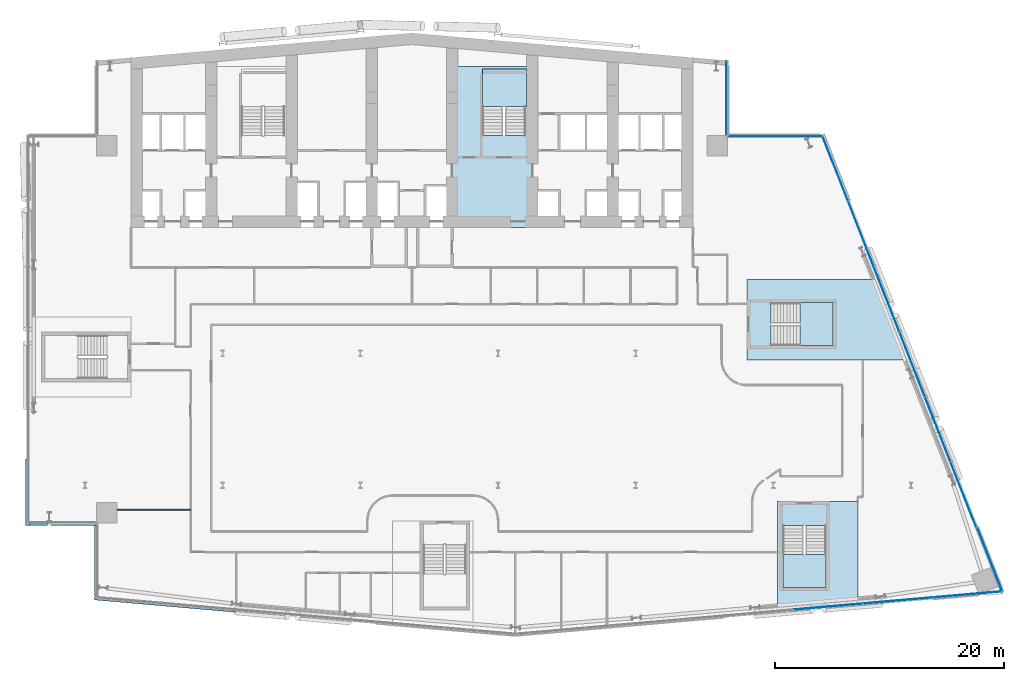
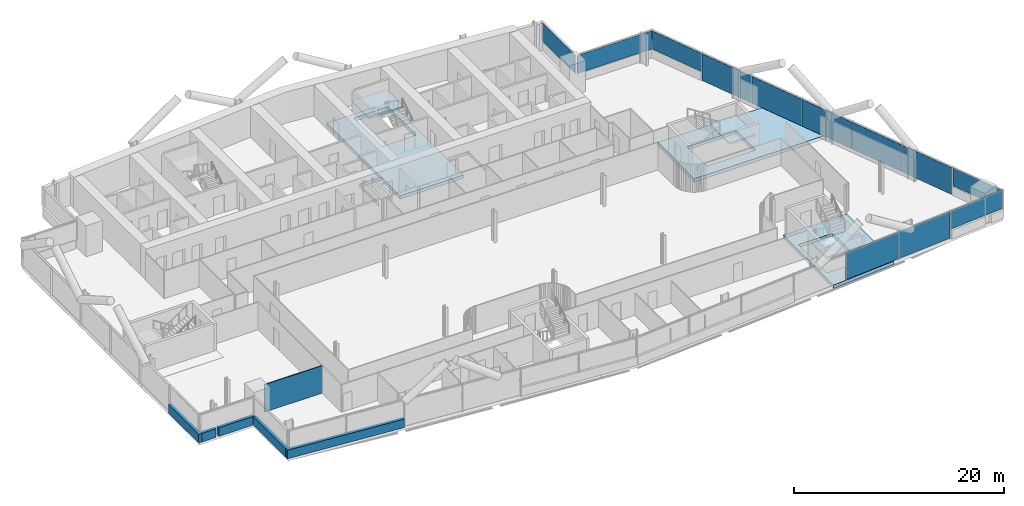
# One storey, part 13 of 30: 12 plates, 6 slabs, 6 walls, 7 elements without a shape of their own.
"""IFC4 building model written with IfcOpenShell, lengths in metres."""

from ifc_helpers import new_model, si_unit, direction, frame, frame_2d, origin, origin_2d, place, context, subcontext, project, spatial, polyline, rectangle, outline, extrude, material, layer, layer_set, type_object, element, aggregate, save


model = new_model("IFC4")

# Units and contexts
model_context = context("Model", 3, precision=1e-05, world=origin(), true_north=direction((0.0, 1.0)))
body_context = subcontext(model_context, "Body", "Model", "MODEL_VIEW")
ifc_project = project(units=[si_unit("LENGTHUNIT", "METRE"), si_unit("AREAUNIT", "SQUARE_METRE"), si_unit("VOLUMEUNIT", "CUBIC_METRE"), si_unit("PLANEANGLEUNIT", "RADIAN"), si_unit("MASSUNIT", "GRAM", prefix="KILO")], contexts=[model_context])

# Site, building, storey
site_placement = place(None, origin())
site = spatial("IfcSite", under=ifc_project, at=site_placement, CompositionType="ELEMENT")
building_placement = place(site_placement, origin())
building = spatial("IfcBuilding", under=site, at=building_placement, Name="Wharfspan Tower", CompositionType="ELEMENT")
storey_placement = place(building_placement, frame((0.0, 0.0, 100.300049)))
storey = spatial("IfcBuildingStorey", under=building, at=storey_placement, Name="L22", CompositionType="ELEMENT", Elevation=100.300049)

# Curtain wall, plate
ifc_material_1 = material(Name="Aluminium 6063-T6", Category="aluminium")
curtain_wall_type_1 = type_object("IfcCurtainWallType", Name="CURTAIN WALL FACETED FRONT", PredefinedType="NOTDEFINED", material=ifc_material_1)
curtain_wall_1_placement = place(storey_placement, origin())
curtain_wall_1 = element("IfcCurtainWall", 1, at=curtain_wall_1_placement, inside=storey, type_object=curtain_wall_type_1, Name="Curtain wall S2", PredefinedType="NOTDEFINED")
ifc_material_2 = material(Name="Glass clear low-iron double glazing", Category="glass")
ifc_layer_1 = layer(ifc_material_2, 0.040039)
ifc_layer_set_1 = layer_set([ifc_layer_1], Name="Glass clear low-iron double glazing")
plate_type_1 = type_object("IfcPlateType", Name="GLASS PANEL FACETED FRONT 40", PredefinedType="CURTAIN_PANEL", material=ifc_layer_set_1)
plate_1_placement = place(storey_placement, frame((88.944092, 1.99292, 1.0), z_axis=(0.0, 0.0, 1.0), x_axis=(0.996198, 0.087156, 0.0)))
plate_1 = element("IfcPlate", 2, at=plate_1_placement, type_object=plate_type_1, Name="Curtain wall S2 panel 7", PredefinedType="CURTAIN_PANEL", context=body_context, shape_type="SweptSolid", body=[
    extrude(rectangle(XDim=6.004639, YDim=0.040039, at=origin_2d()), origin(), (0.0, 0.0, 1.0), 2.120117),
])

# Curtain wall, plates
curtain_wall_type_2 = type_object("IfcCurtainWallType", Name="CURTAIN WALL PROW AND END", PredefinedType="NOTDEFINED", material=ifc_material_1)
curtain_wall_2_placement = place(storey_placement, origin())
curtain_wall_2 = element("IfcCurtainWall", 3, at=curtain_wall_2_placement, inside=storey, type_object=curtain_wall_type_2, Name="Curtain wall E", PredefinedType="NOTDEFINED")
ifc_layer_2 = layer(ifc_material_2, 0.040039)
ifc_layer_set_2 = layer_set([ifc_layer_2], Name="Glass clear low-iron double glazing")
plate_type_2 = type_object("IfcPlateType", Name="GLASS PANEL PROW AND END 40", PredefinedType="CURTAIN_PANEL", material=ifc_layer_set_2)
plate_2_placement = place(storey_placement, frame((90.877197, 5.056885, 1.0), z_axis=(0.0, 0.0, 1.0), x_axis=(-0.365778, 0.930702, 0.0)))
plate_2 = element("IfcPlate", 4, at=plate_2_placement, type_object=plate_type_2, Name="Curtain wall E panel 1", PredefinedType="CURTAIN_PANEL", context=body_context, shape_type="SweptSolid", body=[
    extrude(rectangle(XDim=6.019043, YDim=0.040039, at=origin_2d()), origin(), (0.0, 0.0, 1.0), 2.120117),
])
plate_3_placement = place(storey_placement, frame((77.406494, 39.114014, 1.0), z_axis=(0.0, 0.0, 1.0), x_axis=(-0.365778, 0.930702, 0.0)))
plate_3 = element("IfcPlate", 5, at=plate_3_placement, type_object=plate_type_2, Name="Curtain wall E panel 7", PredefinedType="CURTAIN_PANEL", context=body_context, shape_type="SweptSolid", body=[
    extrude(rectangle(XDim=6.019043, YDim=0.040039, at=origin_2d()), origin(), (0.0, 0.0, 1.0), 2.120117),
])

# Curtain wall, plate
curtain_wall_3_placement = place(storey_placement, origin())
curtain_wall_3 = element("IfcCurtainWall", 6, at=curtain_wall_3_placement, inside=storey, type_object=curtain_wall_type_2, Name="Curtain wall NRE-H", PredefinedType="NOTDEFINED")
plate_4_placement = place(storey_placement, frame((72.178955, 41.919922, 1.0), z_axis=(0.0, 0.0, 1.0), x_axis=(-1.0, 0.0, 0.0)))
plate_4 = element("IfcPlate", 7, at=plate_4_placement, type_object=plate_type_2, Name="Curtain wall NRE-H panel 1", PredefinedType="CURTAIN_PANEL", context=body_context, shape_type="SweptSolid", body=[
    extrude(rectangle(XDim=8.238037, YDim=0.040039, at=origin_2d()), origin(), (0.0, 0.0, 1.0), 2.120117),
])
aggregate(curtain_wall_3, [plate_4])

curtain_wall_4_placement = place(storey_placement, origin())
curtain_wall_4 = element("IfcCurtainWall", 8, at=curtain_wall_4_placement, inside=storey, type_object=curtain_wall_type_2, Name="Curtain wall NRE-V", PredefinedType="NOTDEFINED")
plate_5_placement = place(storey_placement, frame((67.919922, 45.262451, 1.0), z_axis=(0.0, 0.0, 1.0), x_axis=(0.0, 1.0, 0.0)))
plate_5 = element("IfcPlate", 9, at=plate_5_placement, type_object=plate_type_2, Name="Curtain wall NRE-V panel 1", PredefinedType="CURTAIN_PANEL", context=body_context, shape_type="SweptSolid", body=[
    extrude(rectangle(XDim=6.405029, YDim=0.040039, at=origin_2d()), origin(), (0.0, 0.0, 1.0), 2.120117),
])
aggregate(curtain_wall_4, [plate_5])

# Plate
ifc_material_3 = material(Name="Aluminium composite opaque insulated panel", Category="aluminium")
ifc_layer_3 = layer(ifc_material_3, 0.040039)
ifc_layer_set_3 = layer_set([ifc_layer_3], Name="Aluminium composite opaque insulated panel")
plate_type_3 = type_object("IfcPlateType", Name="INFILL PANEL FACETED FRONT OPAQUE 40", PredefinedType="SHEET", material=ifc_layer_set_3)
plate_6_placement = place(storey_placement, frame((76.816162, 0.931885, 0.0), z_axis=(0.0, 0.0, 1.0), x_axis=(0.996198, 0.087156, 0.0)))
plate_6 = element("IfcPlate", 10, at=plate_6_placement, type_object=plate_type_3, Name="Curtain wall S2 panel 5", PredefinedType="SHEET", context=body_context, shape_type="SweptSolid", body=[
    extrude(rectangle(XDim=6.034668, YDim=0.040039, at=origin_2d()), origin(), (0.0, 0.0, 1.0), 3.120117),
])

plate_7_placement = place(storey_placement, frame((82.887695, 1.462891, 0.0), z_axis=(0.0, 0.0, 1.0), x_axis=(0.996198, 0.087156, 0.0)))
plate_7 = element("IfcPlate", 11, at=plate_7_placement, type_object=plate_type_3, Name="Curtain wall S2 panel 6", PredefinedType="SHEET", context=body_context, shape_type="SweptSolid", body=[
    extrude(rectangle(XDim=6.034668, YDim=0.040039, at=origin_2d()), origin(), (0.0, 0.0, 1.0), 3.120117),
])

aggregate(curtain_wall_1, [plate_6, plate_7, plate_1])

ifc_layer_4 = layer(ifc_material_3, 0.040039)
ifc_layer_set_4 = layer_set([ifc_layer_4], Name="Aluminium composite opaque insulated panel")
plate_type_4 = type_object("IfcPlateType", Name="INFILL PANEL PROW AND END OPAQUE 40", PredefinedType="SHEET", material=ifc_layer_set_4)
plate_8_placement = place(storey_placement, frame((88.57373, 10.699219, 0.0), z_axis=(0.0, 0.0, 1.0), x_axis=(-0.365778, 0.930702, 0.0)))
plate_8 = element("IfcPlate", 12, at=plate_8_placement, type_object=plate_type_4, Name="Curtain wall E panel 2", PredefinedType="SHEET", context=body_context, shape_type="SweptSolid", body=[
    extrude(rectangle(XDim=6.049072, YDim=0.040039, at=origin_2d()), origin(), (0.0, 0.0, 1.0), 3.120117),
])

plate_9_placement = place(storey_placement, frame((86.339111, 16.38501, 0.0), z_axis=(0.0, 0.0, 1.0), x_axis=(-0.365778, 0.930702, 0.0)))
plate_9 = element("IfcPlate", 13, at=plate_9_placement, type_object=plate_type_4, Name="Curtain wall E panel 3", PredefinedType="SHEET", context=body_context, shape_type="SweptSolid", body=[
    extrude(rectangle(XDim=6.049072, YDim=0.040039, at=origin_2d()), origin(), (0.0, 0.0, 1.0), 3.120117),
])

plate_10_placement = place(storey_placement, frame((84.104492, 22.070801, 0.0), z_axis=(0.0, 0.0, 1.0), x_axis=(-0.365778, 0.930702, 0.0)))
plate_10 = element("IfcPlate", 14, at=plate_10_placement, type_object=plate_type_4, Name="Curtain wall E panel 4", PredefinedType="SHEET", context=body_context, shape_type="SweptSolid", body=[
    extrude(rectangle(XDim=6.049072, YDim=0.040039, at=origin_2d()), origin(), (0.0, 0.0, 1.0), 3.120117),
])

plate_11_placement = place(storey_placement, frame((81.870117, 27.756348, 0.0), z_axis=(0.0, 0.0, 1.0), x_axis=(-0.365778, 0.930702, 0.0)))
plate_11 = element("IfcPlate", 15, at=plate_11_placement, type_object=plate_type_4, Name="Curtain wall E panel 5", PredefinedType="SHEET", context=body_context, shape_type="SweptSolid", body=[
    extrude(rectangle(XDim=6.049072, YDim=0.040039, at=origin_2d()), origin(), (0.0, 0.0, 1.0), 3.120117),
])

plate_12_placement = place(storey_placement, frame((79.635498, 33.442139, 0.0), z_axis=(0.0, 0.0, 1.0), x_axis=(-0.365778, 0.930702, 0.0)))
plate_12 = element("IfcPlate", 16, at=plate_12_placement, type_object=plate_type_4, Name="Curtain wall E panel 6", PredefinedType="SHEET", context=body_context, shape_type="SweptSolid", body=[
    extrude(rectangle(XDim=6.049072, YDim=0.040039, at=origin_2d()), origin(), (0.0, 0.0, 1.0), 3.120117),
])

aggregate(curtain_wall_2, [plate_2, plate_8, plate_9, plate_10, plate_11, plate_12, plate_3])

# Slabs
ifc_material_4 = material(Name="Concrete C40/50", Category="concrete")
ifc_layer_5 = layer(ifc_material_4, 0.399902)
ifc_layer_set_5 = layer_set([ifc_layer_5], Name="Concrete C40/50")
slab_type_1 = type_object("IfcSlabType", Name="Post-tensioned flat slab 400", PredefinedType="FLOOR", material=ifc_layer_set_5)
slab_1_placement = place(storey_placement, frame((0.0, 0.0, -0.400146)))
element("IfcSlab", 17, at=slab_1_placement, inside=storey, type_object=slab_type_1, Name="Core floor slab L22 part 4", PredefinedType="FLOOR", context=body_context, shape_type="SweptSolid", body=[
    extrude(outline(polyline([(53.341309, 34.0), (53.341309, 37.208008), (51.01001, 37.208008), (51.009766, 37.208008), (51.009521, 37.208008), (51.009521, 37.208008), (51.009277, 37.208252), (51.009033, 37.208252), (51.008789, 37.208252), (51.008789, 37.208496), (51.008545, 37.208496), (51.008545, 37.20874), (51.008301, 37.208984), (51.008301, 37.208984), (51.008301, 37.209229), (51.008057, 37.209473), (51.008057, 37.209717), (51.008057, 37.209717), (51.008057, 37.209961), (51.008057, 48.008057), (43.991943, 48.008057), (43.991943, 37.659912), (43.991943, 37.659912), (43.991943, 37.659668), (43.991943, 37.659424), (43.991699, 37.65918), (43.991699, 37.65918), (43.991699, 37.658936), (43.991455, 37.658691), (43.991455, 37.658691), (43.991211, 37.658447), (43.991211, 37.658203), (43.990967, 37.658203), (43.990723, 37.658203), (43.990479, 37.658203), (43.990479, 37.657959), (43.990234, 37.657959), (43.98999, 37.657959), (41.658691, 37.657959), (41.658691, 34.0), (41.664795, 34.0), (41.664795, 37.649902), (41.664795, 37.650146), (41.664795, 37.650391), (41.664795, 37.650635), (41.664795, 37.650879), (41.664795, 37.650879), (41.665039, 37.651123), (41.665039, 37.651367), (41.665283, 37.651367), (41.665283, 37.651611), (41.665527, 37.651611), (41.665771, 37.651855), (41.666016, 37.651855), (41.666016, 37.651855), (41.66626, 37.6521), (41.666504, 37.6521), (41.666748, 37.6521), (44.0, 37.6521), (44.000244, 37.6521), (44.000488, 37.6521), (44.000488, 37.651855), (44.000732, 37.651855), (44.000977, 37.651855), (44.001221, 37.651611), (44.001221, 37.651611), (44.001465, 37.651367), (44.001465, 37.651367), (44.001709, 37.651123), (44.001709, 37.650879), (44.001709, 37.650879), (44.001953, 37.650635), (44.001953, 37.650391), (44.001953, 37.650146), (44.001953, 37.649902), (44.001953, 34.0), (50.998047, 34.0), (50.998047, 37.199951), (50.998047, 37.200195), (50.998047, 37.200439), (50.998047, 37.200684), (50.998291, 37.200684), (50.998291, 37.200928), (50.998291, 37.201172), (50.998535, 37.201416), (50.998535, 37.201416), (50.998779, 37.201416), (50.998779, 37.20166), (50.999023, 37.201904), (50.999268, 37.201904), (50.999512, 37.201904), (50.999512, 37.201904), (50.999756, 37.201904), (51.0, 37.201904), (53.333252, 37.201904), (53.333496, 37.201904), (53.33374, 37.201904), (53.333984, 37.201904), (53.333984, 37.201904), (53.334229, 37.201904), (53.334473, 37.20166), (53.334717, 37.201416), (53.334717, 37.201416), (53.334961, 37.201416), (53.334961, 37.201172), (53.335205, 37.200928), (53.335205, 37.200684), (53.335205, 37.200684), (53.335205, 37.200439), (53.335205, 37.200195), (53.335205, 37.199951), (53.335205, 34.0), (53.341309, 34.0)]), holes=[polyline([(50.4021, 42.0), (50.4021, 41.999756), (50.4021, 41.999512), (50.401855, 41.999512), (50.401855, 41.999268), (50.401855, 41.999023), (50.401611, 41.998779), (50.401611, 41.998779), (50.401367, 41.998535), (50.401367, 41.998535), (50.401123, 41.998291), (50.400879, 41.998291), (50.400879, 41.998291), (50.400635, 41.998047), (50.400391, 41.998047), (50.400146, 41.998047), (50.399902, 41.998047), (46.649902, 41.998047), (46.649902, 41.998047), (46.649658, 41.998047), (46.649414, 41.998047), (46.64917, 41.998291), (46.64917, 41.998291), (46.648926, 41.998291), (46.648682, 41.998535), (46.648682, 41.998535), (46.648438, 41.998779), (46.648193, 41.998779), (46.648193, 41.999023), (46.648193, 41.999268), (46.648193, 41.999512), (46.647949, 41.999512), (46.647949, 41.999756), (46.647949, 42.0), (46.647949, 47.399902), (46.647949, 47.400146), (46.647949, 47.400391), (46.648193, 47.400635), (46.648193, 47.400879), (46.648193, 47.400879), (46.648193, 47.401123), (46.648438, 47.401367), (46.648682, 47.401367), (46.648682, 47.401611), (46.648926, 47.401611), (46.64917, 47.401855), (46.64917, 47.401855), (46.649414, 47.401855), (46.649658, 47.4021), (46.649902, 47.4021), (46.649902, 47.4021), (50.399902, 47.4021), (50.400146, 47.4021), (50.400391, 47.4021), (50.400635, 47.401855), (50.400879, 47.401855), (50.400879, 47.401855), (50.401123, 47.401611), (50.401367, 47.401611), (50.401367, 47.401367), (50.401611, 47.401367), (50.401611, 47.401123), (50.401855, 47.400879), (50.401855, 47.400879), (50.401855, 47.400635), (50.4021, 47.400391), (50.4021, 47.400146), (50.4021, 47.399902), (50.4021, 42.0)])]), origin(), (0.0, 0.0, 1.0), 0.400146),
])
slab_2_placement = place(storey_placement, frame((0.0, 0.0, -0.400146)))
element("IfcSlab", 18, at=slab_2_placement, inside=storey, type_object=slab_type_1, Name="Core floor slab L22 part 5", PredefinedType="FLOOR", context=body_context, shape_type="SweptSolid", body=[
    extrude(outline(polyline([(79.365967, 10.094727), (76.891113, 10.094727), (72.541016, 10.094727), (72.365967, 10.094727), (72.365967, 0.482178), (79.365967, 1.094727), (79.365967, 10.094727)]), holes=[polyline([(76.591064, 7.996582), (76.591309, 7.996582), (76.591309, 7.996582), (76.591553, 7.996582), (76.591797, 7.996582), (76.591797, 7.996338), (76.592041, 7.996338), (76.592285, 7.996094), (76.592285, 7.996094), (76.592529, 7.99585), (76.592773, 7.99585), (76.592773, 7.995605), (76.593018, 7.995361), (76.593018, 7.995117), (76.593018, 7.995117), (76.593018, 7.994873), (76.593018, 7.994629), (76.593018, 2.594727), (76.593018, 2.594482), (76.593018, 2.594238), (76.593018, 2.593994), (76.593018, 2.593994), (76.592773, 2.59375), (76.592773, 2.593506), (76.592529, 2.593506), (76.592285, 2.593262), (76.592285, 2.593018), (76.592041, 2.593018), (76.591797, 2.593018), (76.591797, 2.592773), (76.591553, 2.592773), (76.591309, 2.592773), (76.591309, 2.592773), (76.591064, 2.592773), (72.841064, 2.592773), (72.84082, 2.592773), (72.840576, 2.592773), (72.840332, 2.592773), (72.840088, 2.592773), (72.840088, 2.593018), (72.839844, 2.593018), (72.8396, 2.593018), (72.8396, 2.593262), (72.8396, 2.593506), (72.839355, 2.593506), (72.839111, 2.59375), (72.839111, 2.593994), (72.839111, 2.593994), (72.839111, 2.594238), (72.839111, 2.594482), (72.839111, 2.594727), (72.839111, 7.994629), (72.839111, 7.994873), (72.839111, 7.995117), (72.839111, 7.995117), (72.839111, 7.995361), (72.839111, 7.995605), (72.839355, 7.99585), (72.8396, 7.99585), (72.8396, 7.996094), (72.8396, 7.996094), (72.839844, 7.996338), (72.840088, 7.996338), (72.840088, 7.996582), (72.840332, 7.996582), (72.840576, 7.996582), (72.84082, 7.996582), (72.841064, 7.996582), (76.591064, 7.996582)])]), origin(), (0.0, 0.0, 1.0), 0.400146),
])
slab_3_placement = place(storey_placement, frame((0.0, 0.0, -0.400146)))
element("IfcSlab", 19, at=slab_3_placement, inside=storey, type_object=slab_type_1, Name="Core floor slab L22 part 6", PredefinedType="FLOOR", context=body_context, shape_type="SweptSolid", body=[
    extrude(outline(polyline([(81.290283, 29.449951), (69.69043, 29.449951), (69.69043, 27.725098), (69.69043, 23.375), (69.69043, 22.449951), (84.041504, 22.449951), (81.290283, 29.449951)]), holes=[polyline([(71.790283, 23.673096), (71.790283, 23.673096), (71.790039, 23.673096), (71.789795, 23.673096), (71.789551, 23.673096), (71.789551, 23.673096), (71.789307, 23.67334), (71.789062, 23.673584), (71.789062, 23.673584), (71.788818, 23.673584), (71.788818, 23.673828), (71.788574, 23.674072), (71.788574, 23.674316), (71.788574, 23.674316), (71.78833, 23.674561), (71.78833, 23.674805), (71.78833, 23.675049), (71.78833, 27.425049), (71.78833, 27.425293), (71.78833, 27.425293), (71.788574, 27.425537), (71.788574, 27.425781), (71.788574, 27.425781), (71.788818, 27.426025), (71.788818, 27.42627), (71.789062, 27.426514), (71.789062, 27.426514), (71.789307, 27.426758), (71.789551, 27.426758), (71.789551, 27.426758), (71.789795, 27.427002), (71.790039, 27.427002), (71.790283, 27.427002), (71.790283, 27.427002), (77.19043, 27.427002), (77.190674, 27.427002), (77.190918, 27.427002), (77.190918, 27.427002), (77.191162, 27.426758), (77.191406, 27.426758), (77.191406, 27.426758), (77.19165, 27.426514), (77.191895, 27.426514), (77.191895, 27.42627), (77.192139, 27.426025), (77.192139, 27.425781), (77.192139, 27.425781), (77.192383, 27.425537), (77.192383, 27.425293), (77.192383, 27.425293), (77.192383, 27.425049), (77.192383, 23.675049), (77.192383, 23.674805), (77.192383, 23.674561), (77.192383, 23.674316), (77.192139, 23.674316), (77.192139, 23.674072), (77.192139, 23.673828), (77.191895, 23.673584), (77.191895, 23.673584), (77.19165, 23.673584), (77.191406, 23.67334), (77.191406, 23.673096), (77.191162, 23.673096), (77.190918, 23.673096), (77.190918, 23.673096), (77.190674, 23.673096), (77.19043, 23.673096), (71.790283, 23.673096)])]), origin(), (0.0, 0.0, 1.0), 0.400146),
])

# Stair, slab
stair_type = type_object("IfcStairType", Name="Half-turn stair 20 risers 180 mm", PredefinedType="HALF_TURN_STAIR", material=ifc_material_4)
stair_1_placement = place(storey_placement, origin())
stair_1 = element("IfcStair", 20, at=stair_1_placement, inside=storey, type_object=stair_type, Name="L22 stair ST2", PredefinedType="HALF_TURN_STAIR")
ifc_layer_6 = layer(ifc_material_4, 0.199951)
ifc_layer_set_6 = layer_set([ifc_layer_6], Name="Concrete C40/50")
slab_type_2 = type_object("IfcSlabType", Name="Stair landing 200", PredefinedType="LANDING", material=ifc_layer_set_6)
slab_4_placement = place(storey_placement, frame((0.0, 0.0, 1.599854)))
slab_4 = element("IfcSlab", 21, at=slab_4_placement, type_object=slab_type_2, Name="ST2 landing 1", PredefinedType="LANDING", context=body_context, shape_type="SweptSolid", body=[
    extrude(outline(polyline([(46.649902, 44.52002), (50.5, 44.52002), (50.5, 47.783691), (46.649902, 47.783691), (46.649902, 44.52002)])), origin(), (0.0, 0.0, 1.0), 0.200195),
])
aggregate(stair_1, [slab_4])

stair_2_placement = place(storey_placement, origin())
stair_2 = element("IfcStair", 22, at=stair_2_placement, inside=storey, type_object=stair_type, Name="L22 stair ST5", PredefinedType="HALF_TURN_STAIR")
slab_5_placement = place(storey_placement, frame((0.0, 0.0, 1.599854)))
slab_5 = element("IfcSlab", 23, at=slab_5_placement, type_object=slab_type_2, Name="ST5 landing 1", PredefinedType="LANDING", context=body_context, shape_type="SweptSolid", body=[
    extrude(outline(polyline([(72.841064, 5.474609), (72.841064, 2.594727), (76.591064, 2.594727), (76.591064, 5.474609), (72.841064, 5.474609)])), origin(), (0.0, 0.0, 1.0), 0.200195),
])
aggregate(stair_2, [slab_5])

stair_3_placement = place(storey_placement, origin())
stair_3 = element("IfcStair", 24, at=stair_3_placement, inside=storey, type_object=stair_type, Name="L22 stair ST6", PredefinedType="HALF_TURN_STAIR")
slab_6_placement = place(storey_placement, frame((0.0, 0.0, 1.599854)))
slab_6 = element("IfcSlab", 25, at=slab_6_placement, type_object=slab_type_2, Name="ST6 landing 1", PredefinedType="LANDING", context=body_context, shape_type="SweptSolid", body=[
    extrude(outline(polyline([(74.310303, 23.675049), (77.19043, 23.675049), (77.19043, 27.425049), (74.310303, 27.425049), (74.310303, 23.675049)])), origin(), (0.0, 0.0, 1.0), 0.200195),
])
aggregate(stair_3, [slab_6])

# Walls
ifc_material_5 = material(Name="Gypsum board on steel studs", Category="steel")
ifc_layer_7 = layer(ifc_material_5, 0.100098)
ifc_layer_set_7 = layer_set([ifc_layer_7], Name="Gypsum board on steel studs")
wall_type_1 = type_object("IfcWallType", Name="Compartment wall 100 EI 60", PredefinedType="PARTITIONING", material=ifc_layer_set_7)
wall_1_placement = place(storey_placement, frame((14.810059, 9.370117, 0.0), z_axis=(0.0, 0.0, 1.0), x_axis=(1.0, 0.0, 0.0)))
element("IfcWall", 26, at=wall_1_placement, inside=storey, type_object=wall_type_1, Name="Partition L22.w003", PredefinedType="PARTITIONING", context=body_context, shape_type="SweptSolid", body=[
    extrude(rectangle(XDim=6.389893, YDim=0.100098, at=frame_2d((3.194824, 0.0))), origin(), (0.0, 0.0, 1.0), 3.199951),
])
ifc_layer_8 = layer(ifc_material_4, 0.350098)
ifc_layer_set_8 = layer_set([ifc_layer_8], Name="Concrete C40/50")
wall_type_2 = type_object("IfcWallType", Name="SPANDREL EXPOSED CONCRETE 350", PredefinedType="SOLIDWALL", material=ifc_layer_set_8)
wall_2_placement = place(storey_placement, frame((12.835205, 1.68457, 0.0), z_axis=(0.0, 0.0, 1.0), x_axis=(0.996192, -0.087173, 0.0)))
element("IfcWall", 27, at=wall_2_placement, inside=storey, type_object=wall_type_2, Name="Spandrel upstand L22 S1 1", PredefinedType="SOLIDWALL", context=body_context, shape_type="SweptSolid", body=[
    extrude(rectangle(XDim=12.348145, YDim=0.350098, at=frame_2d((6.174072, 0.0))), origin(), (0.0, 0.0, 1.0), 1.0),
])
wall_3_placement = place(storey_placement, frame((6.995117, 13.803223, 0.0), z_axis=(0.0, 0.0, 1.0), x_axis=(0.0, -1.0, 0.0)))
element("IfcWall", 28, at=wall_3_placement, inside=storey, type_object=wall_type_2, Name="Spandrel upstand L22 W", PredefinedType="SOLIDWALL", context=body_context, shape_type="SweptSolid", body=[
    extrude(rectangle(XDim=5.783203, YDim=0.350098, at=frame_2d((2.891602, 0.0))), origin(), (0.0, 0.0, 1.0), 1.0),
])
wall_4_placement = place(storey_placement, frame((7.169922, 8.195068, 0.0), z_axis=(0.0, 0.0, 1.0), x_axis=(1.0, 0.0, 0.0)))
element("IfcWall", 29, at=wall_4_placement, inside=storey, type_object=wall_type_2, Name="Spandrel upstand L22 NFW-H", PredefinedType="SOLIDWALL", context=body_context, shape_type="SweptSolid", body=[
    extrude(rectangle(XDim=1.563232, YDim=0.350098, at=frame_2d((0.781738, 0.0))), origin(), (0.0, 0.0, 1.0), 1.0),
])
wall_5_placement = place(storey_placement, frame((9.036133, 8.195068, 0.0), z_axis=(0.0, 0.0, 1.0), x_axis=(1.0, 0.0, 0.0)))
element("IfcWall", 30, at=wall_5_placement, inside=storey, type_object=wall_type_2, Name="Spandrel upstand L22 NFW-H 2", PredefinedType="SOLIDWALL", context=body_context, shape_type="SweptSolid", body=[
    extrude(rectangle(XDim=3.963867, YDim=0.350098, at=frame_2d((1.981934, 0.0))), origin(), (0.0, 0.0, 1.0), 1.0),
])
wall_6_placement = place(storey_placement, frame((12.995117, 8.02002, 0.0), z_axis=(0.0, 0.0, 1.0), x_axis=(0.0, -1.0, 0.0)))
element("IfcWall", 31, at=wall_6_placement, inside=storey, type_object=wall_type_2, Name="Spandrel upstand L22 NFW-V", PredefinedType="SOLIDWALL", context=body_context, shape_type="SweptSolid", body=[
    extrude(rectangle(XDim=6.161133, YDim=0.350098, at=frame_2d((3.080566, 0.0))), origin(), (0.0, 0.0, 1.0), 1.0),
])

save(model, "model.ifc")
